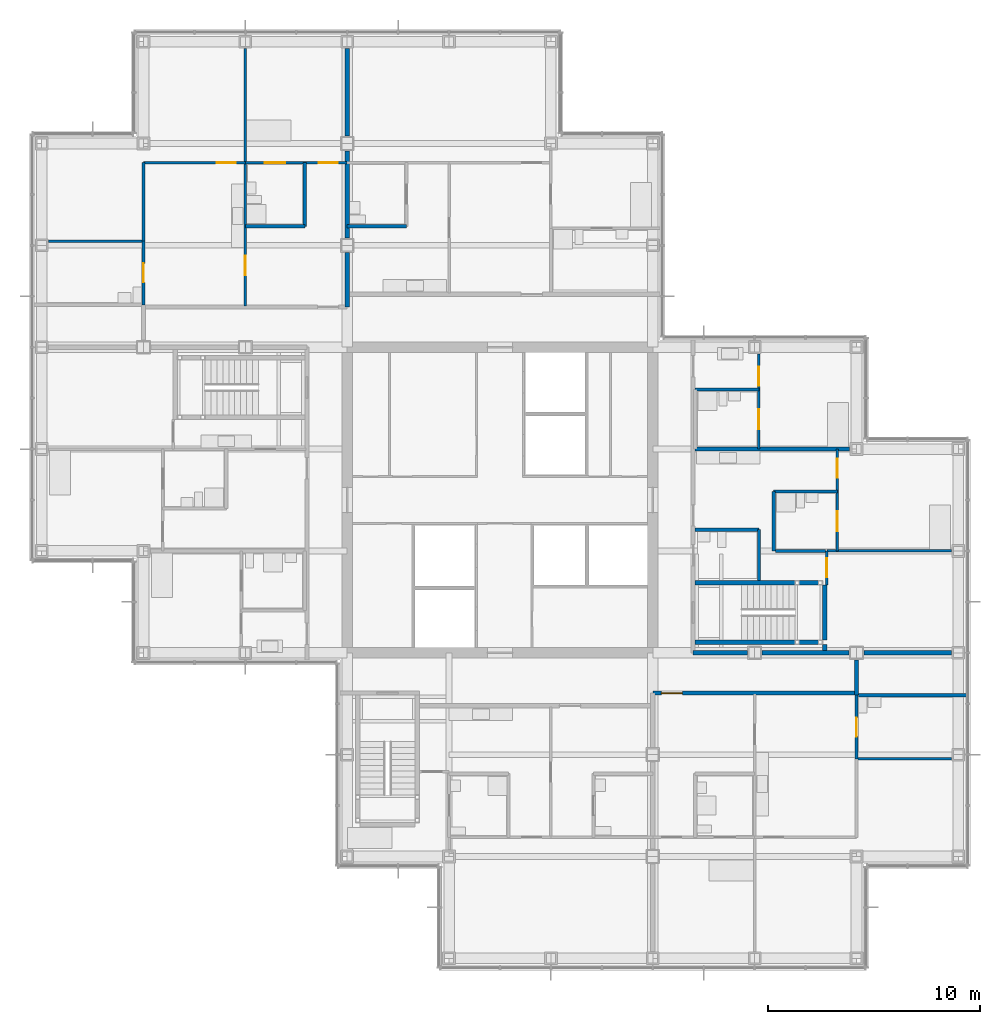
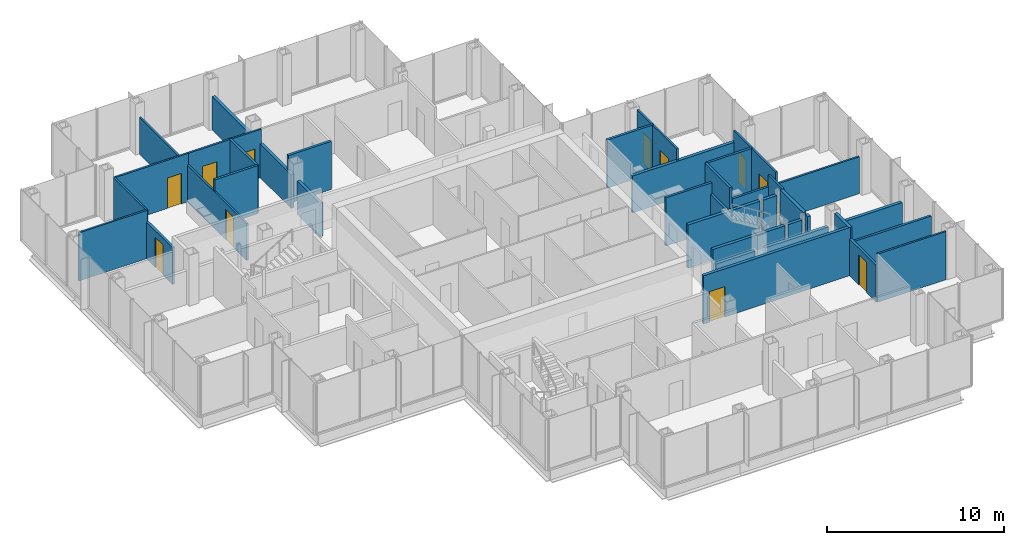
# One storey, part 15 of 19: 38 walls, 12 doors, 12 openings.
"""IFC4 building model written with IfcOpenShell, lengths in metres."""

from ifc_helpers import new_model, si_unit, direction, frame, frame_2d, origin, place, context, subcontext, project, spatial, rectangle, extrude, material, layer, layer_set, type_object, element, fill, save


model = new_model("IFC4")

# Units and contexts
model_context = context("Model", 3, precision=1e-05, world=origin(), true_north=direction((0.0, 1.0)))
body_context = subcontext(model_context, "Body", "Model", "MODEL_VIEW")
ifc_project = project(units=[si_unit("LENGTHUNIT", "METRE"), si_unit("AREAUNIT", "SQUARE_METRE"), si_unit("VOLUMEUNIT", "CUBIC_METRE"), si_unit("PLANEANGLEUNIT", "RADIAN"), si_unit("MASSUNIT", "GRAM", prefix="KILO")], contexts=[model_context])

# Site, building, storey
site_placement = place(None, origin())
site = spatial("IfcSite", under=ifc_project, at=site_placement, CompositionType="ELEMENT")
building_placement = place(site_placement, origin())
building = spatial("IfcBuilding", under=site, at=building_placement, Name="Kvirike Care Tower", CompositionType="ELEMENT")
storey_placement = place(building_placement, frame((0.0, 0.0, 129.5)))
storey = spatial("IfcBuildingStorey", under=building, at=storey_placement, Name="L35", CompositionType="ELEMENT", Elevation=129.5)

# Walls
ifc_material_1 = material(Name="Moisture-resistant board partition", Category="gypsum")
ifc_layer_1 = layer(ifc_material_1, 0.14990234375)
ifc_layer_set_1 = layer_set([ifc_layer_1], Name="BATHROOM WALL 150")
wall_type_1 = type_object("IfcWallType", Name="BATHROOM WALL 150", PredefinedType="PARTITIONING", material=ifc_layer_set_1)
wall_1_placement = place(storey_placement, frame((12.39990234375, 51.89990234375, 0.0), z_axis=(0.0, 0.0, 1.0), x_axis=(0.0, -1.0, 0.0)))
element("IfcWall", 1, at=wall_1_placement, inside=storey, type_object=wall_type_1, Name="Bathroom Wall 150 L35", PredefinedType="PARTITIONING", context=body_context, shape_type="SweptSolid", body=[
    extrude(rectangle(XDim=3.0, YDim=0.14990234375, at=frame_2d((1.5, 0.0))), origin(), (0.0, 0.0, 1.0), 3.330078125),
])
wall_2_placement = place(storey_placement, frame((12.39990234375, 48.89990234375, 0.0), z_axis=(0.0, 0.0, 1.0), x_axis=(-1.0, 0.0, 0.0)))
element("IfcWall", 2, at=wall_2_placement, inside=storey, type_object=wall_type_1, Name="Bathroom Wall 150 L35", PredefinedType="PARTITIONING", context=body_context, shape_type="SweptSolid", body=[
    extrude(rectangle(XDim=2.7998046875, YDim=0.14990234375, at=frame_2d((1.39990234375, 0.0))), origin(), (0.0, 0.0, 1.0), 3.330078125),
])

# Wall, opening, door
wall_3_placement = place(storey_placement, frame((4.800048828125, 48.199951171875, 0.0), z_axis=(0.0, 0.0, 1.0), x_axis=(0.0, -1.0, 0.0)))
wall_3 = element("IfcWall", 3, at=wall_3_placement, inside=storey, type_object=wall_type_1, Name="Bathroom Wall 150 L35", PredefinedType="PARTITIONING", context=body_context, shape_type="SweptSolid", body=[
    extrude(rectangle(XDim=3.0, YDim=0.14990234375, at=frame_2d((1.5, 0.0))), origin(), (0.0, 0.0, 1.0), 2.550048828125),
])
opening_1_placement = place(wall_3_placement, frame((1.050048828125, 0.0, 0.0)))
opening_1 = element("IfcOpeningElement", 4, at=opening_1_placement, cuts=wall_3, Name="Opening 35-010", PredefinedType="OPENING", context=body_context, shape_type="SweptSolid", body=[
    extrude(rectangle(XDim=0.89990234375, YDim=2.10009765625, at=frame_2d((0.449951171875, 1.050048828125))), frame((0.0, 0.08544921875, 0.0), z_axis=(0.0, -1.0, 0.0), x_axis=(1.0, 0.0, 0.0)), (0.0, 0.0, 1.0), 0.1708984375),
])
ifc_material_2 = material(Name="Timber door set", Category="wood")
door_type_1 = type_object("IfcDoorType", Name="BATHROOM DOOR 900", OperationType="SINGLE_SWING_RIGHT", PredefinedType="DOOR", material=ifc_material_2)
door_1_placement = place(opening_1_placement, frame((0.89990234375, 0.0, 0.0), z_axis=(0.0, 0.0, 1.0), x_axis=(-1.0, 0.0, 0.0)))
door_1 = element("IfcDoor", 5, at=door_1_placement, inside=storey, type_object=door_type_1, Name="Accessible WC door", OperationType="SINGLE_SWING_LEFT", OverallHeight=2.10009765625, OverallWidth=0.89990234375, PredefinedType="DOOR", context=body_context, shape_type="SweptSolid", body=[
    extrude(rectangle(XDim=0.89990234375, YDim=2.10009765625, at=frame_2d((0.449951171875, 1.050048828125))), frame((0.0, 0.02197265625, 0.0), z_axis=(0.0, -1.0, 0.0), x_axis=(1.0, 0.0, 0.0)), (0.0, 0.0, 1.0), 0.0439453125),
])
fill(opening_1, door_1)

# Wall
wall_4_placement = place(storey_placement, frame((17.199951171875, 48.89990234375, 0.0), z_axis=(0.0, 0.0, 1.0), x_axis=(-1.0, 0.0, 0.0)))
element("IfcWall", 6, at=wall_4_placement, inside=storey, type_object=wall_type_1, Name="Bathroom Wall 150 L35", PredefinedType="PARTITIONING", context=body_context, shape_type="SweptSolid", body=[
    extrude(rectangle(XDim=2.800048828125, YDim=0.14990234375, at=frame_2d((1.39990234375, 0.0))), origin(), (0.0, 0.0, 1.0), 3.330078125),
])

# Wall, opening, door
wall_5_placement = place(storey_placement, frame((38.39990234375, 23.800048828125, 0.0), z_axis=(0.0, 0.0, 1.0), x_axis=(0.0, 1.0, 0.0)))
wall_5 = element("IfcWall", 7, at=wall_5_placement, inside=storey, type_object=wall_type_1, Name="Bathroom Wall 150 L35", PredefinedType="PARTITIONING", context=body_context, shape_type="SweptSolid", body=[
    extrude(rectangle(XDim=3.0, YDim=0.14990234375, at=frame_2d((1.5, 0.0))), origin(), (0.0, 0.0, 1.0), 2.550048828125),
])
opening_2_placement = place(wall_5_placement, frame((1.050048828125, 0.0, 0.0)))
opening_2 = element("IfcOpeningElement", 8, at=opening_2_placement, cuts=wall_5, Name="Opening 35-029", PredefinedType="OPENING", context=body_context, shape_type="SweptSolid", body=[
    extrude(rectangle(XDim=0.89990234375, YDim=2.10009765625, at=frame_2d((0.449951171875, 1.050048828125))), frame((0.0, 0.08544921875, 0.0), z_axis=(0.0, -1.0, 0.0), x_axis=(1.0, 0.0, 0.0)), (0.0, 0.0, 1.0), 0.1708984375),
])
door_2_placement = place(opening_2_placement, frame((0.89990234375, 0.0, 0.0), z_axis=(0.0, 0.0, 1.0), x_axis=(-1.0, 0.0, 0.0)))
door_2 = element("IfcDoor", 9, at=door_2_placement, inside=storey, type_object=door_type_1, Name="Accessible WC door", OperationType="SINGLE_SWING_LEFT", OverallHeight=2.10009765625, OverallWidth=0.89990234375, PredefinedType="DOOR", context=body_context, shape_type="SweptSolid", body=[
    extrude(rectangle(XDim=0.89990234375, YDim=2.10009765625, at=frame_2d((0.449951171875, 1.050048828125))), frame((0.0, 0.02197265625, 0.0), z_axis=(0.0, -1.0, 0.0), x_axis=(1.0, 0.0, 0.0)), (0.0, 0.0, 1.0), 0.0439453125),
])
fill(opening_2, door_2)

# Walls
wall_6_placement = place(storey_placement, frame((33.800048828125, 32.199951171875, 0.0), z_axis=(0.0, 0.0, 1.0), x_axis=(0.0, 1.0, 0.0)))
element("IfcWall", 10, at=wall_6_placement, inside=storey, type_object=wall_type_1, Name="Bathroom Wall 150 L35", PredefinedType="PARTITIONING", context=body_context, shape_type="SweptSolid", body=[
    extrude(rectangle(XDim=2.400146484375, YDim=0.14990234375, at=frame_2d((1.2001953125, 0.0))), origin(), (0.0, 0.0, 1.0), 2.550048828125),
])
for number, where, z_axis, x_axis, name in (
    (11, (33.800048828125, 34.60009765625, 0.0), (0.0, 0.0, 1.0), (-1.0, 0.0, 0.0), "Bathroom Wall 150 L35"),
    (12, (37.5, 36.39990234375, 0.0), (0.0, 0.0, 1.0), (-1.0, 0.0, 0.0), "Bathroom Wall 150 L35"),
):
    element("IfcWall", number, at=place(storey_placement, frame(where, z_axis=z_axis, x_axis=x_axis)), inside=storey, type_object=wall_type_1, Name=name, PredefinedType="PARTITIONING", context=body_context, shape_type="SweptSolid", body=[
        extrude(rectangle(XDim=3.0, YDim=0.14990234375, at=frame_2d((1.5, 0.0))), origin(), (0.0, 0.0, 1.0), 3.330078125),
    ])
wall_7_placement = place(storey_placement, frame((34.5, 33.60009765625, 0.0), z_axis=(0.0, 0.0, 1.0), x_axis=(0.0, 1.0, 0.0)))
element("IfcWall", 13, at=wall_7_placement, inside=storey, type_object=wall_type_1, Name="Bathroom Wall 150 L35", PredefinedType="PARTITIONING", context=body_context, shape_type="SweptSolid", body=[
    extrude(rectangle(XDim=2.7998046875, YDim=0.14990234375, at=frame_2d((1.39990234375, 0.0))), origin(), (0.0, 0.0, 1.0), 3.330078125),
])
wall_8_placement = place(storey_placement, frame((33.800048828125, 41.199951171875, 0.0), z_axis=(0.0, 0.0, 1.0), x_axis=(-1.0, 0.0, 0.0)))
element("IfcWall", 14, at=wall_8_placement, inside=storey, type_object=wall_type_1, Name="Bathroom Wall 150 L35", PredefinedType="PARTITIONING", context=body_context, shape_type="SweptSolid", body=[
    extrude(rectangle(XDim=3.0, YDim=0.14990234375, at=frame_2d((1.5, 0.0))), origin(), (0.0, 0.0, 1.0), 3.330078125),
])
wall_9_placement = place(storey_placement, frame((38.5, 26.800048828125, 0.0), z_axis=(0.0, 0.0, 1.0), x_axis=(1.0, 0.0, 0.0)))
element("IfcWall", 15, at=wall_9_placement, inside=storey, type_object=wall_type_1, Name="Bathroom Wall 150 L35", PredefinedType="PARTITIONING", context=body_context, shape_type="SweptSolid", body=[
    extrude(rectangle(XDim=5.139892578125, YDim=0.14990234375, at=frame_2d((2.56982421875, 0.0))), origin(), (0.0, 0.0, 1.0), 2.320068359375),
])
wall_10_placement = place(storey_placement, frame((36.93994140625, 33.60009765625, 0.0), z_axis=(0.0, 0.0, 1.0), x_axis=(-1.0, 0.0, 0.0)))
element("IfcWall", 16, at=wall_10_placement, inside=storey, type_object=wall_type_1, Name="Bathroom Wall 150 L35", PredefinedType="PARTITIONING", context=body_context, shape_type="SweptSolid", body=[
    extrude(rectangle(XDim=2.364990234375, YDim=0.14990234375, at=frame_2d((1.1826171875, 0.0))), origin(), (0.0, 0.0, 1.0), 2.550048828125),
])

# Wall, opening, door
ifc_material_3 = material(Name="Plasterboard corridor wall", Category="gypsum")
ifc_layer_2 = layer(ifc_material_3, 0.199951171875)
ifc_layer_set_2 = layer_set([ifc_layer_2], Name="CORRIDOR WALL 200")
wall_type_2 = type_object("IfcWallType", Name="CORRIDOR WALL 200", PredefinedType="PARTITIONING", material=ifc_layer_set_2)
wall_11_placement = place(storey_placement, frame((28.800048828125, 26.89990234375, 0.0), z_axis=(0.0, 0.0, 1.0), x_axis=(1.0, 0.0, 0.0)))
wall_11 = element("IfcWall", 17, at=wall_11_placement, inside=storey, type_object=wall_type_2, Name="Corridor Wall 200 L35", PredefinedType="PARTITIONING", context=body_context, shape_type="SweptSolid", body=[
    extrude(rectangle(XDim=9.599853515625, YDim=0.199951171875, at=frame_2d((4.7998046875, 0.0))), origin(), (0.0, 0.0, 1.0), 3.330078125),
])
opening_3_placement = place(wall_11_placement, frame((0.39990234375, 0.0, 0.0)))
opening_3 = element("IfcOpeningElement", 18, at=opening_3_placement, cuts=wall_11, Name="Opening 35-034", PredefinedType="OPENING", context=body_context, shape_type="SweptSolid", body=[
    extrude(rectangle(XDim=1.0, YDim=2.10009765625, at=frame_2d((0.5, 1.050048828125))), frame((0.0, 0.110595703125, 0.0), z_axis=(0.0, -1.0, 0.0), x_axis=(1.0, 0.0, 0.0)), (0.0, 0.0, 1.0), 0.220947265625),
])
ifc_material_4 = material(Name="Timber door set", Category="wood")
door_type_2 = type_object("IfcDoorType", Name="FLAT ENTRANCE DOOR 1000", OperationType="SINGLE_SWING_LEFT", PredefinedType="DOOR", material=ifc_material_4)
door_3_placement = place(opening_3_placement, frame((1.0, 0.0, 0.0), z_axis=(0.0, 0.0, 1.0), x_axis=(-1.0, 0.0, 0.0)))
door_3 = element("IfcDoor", 19, at=door_3_placement, inside=storey, type_object=door_type_2, Name="Assisted living suite for couples entrance", OperationType="SINGLE_SWING_LEFT", OverallHeight=2.10009765625, OverallWidth=1.0, PredefinedType="DOOR", context=body_context, shape_type="SweptSolid", body=[
    extrude(rectangle(XDim=1.0, YDim=2.10009765625, at=frame_2d((0.5, 1.050048828125))), frame((0.0, 0.02685546875, 0.0), z_axis=(0.0, -1.0, 0.0), x_axis=(1.0, 0.0, 0.0)), (0.0, 0.0, 1.0), 0.053955078125),
])
fill(opening_3, door_3)

# Wall
wall_12_placement = place(storey_placement, frame((38.39990234375, 26.800048828125, 0.0), z_axis=(0.0, 0.0, 1.0), x_axis=(0.0, 1.0, 0.0)))
element("IfcWall", 20, at=wall_12_placement, inside=storey, type_object=wall_type_2, Name="Corridor Wall 200 L35", PredefinedType="PARTITIONING", context=body_context, shape_type="SweptSolid", body=[
    extrude(rectangle(XDim=1.655029296875, YDim=0.199951171875, at=frame_2d((0.82763671875, 0.0))), origin(), (0.0, 0.0, 1.0), 3.330078125),
])

# Wall, opening, door
ifc_material_5 = material(Name="Plasterboard partition", Category="gypsum")
ifc_layer_3 = layer(ifc_material_5, 0.1201171875)
ifc_layer_set_3 = layer_set([ifc_layer_3], Name="PARTITION 120")
wall_type_3 = type_object("IfcWallType", Name="PARTITION 120", PredefinedType="PARTITIONING", material=ifc_layer_set_3)
wall_13_placement = place(storey_placement, frame((9.60009765625, 51.89990234375, 0.0), z_axis=(0.0, 0.0, 1.0), x_axis=(0.0, -1.0, 0.0)))
wall_13 = element("IfcWall", 21, at=wall_13_placement, inside=storey, type_object=wall_type_3, Name="Partition 120 L35", PredefinedType="PARTITIONING", context=body_context, shape_type="SweptSolid", body=[
    extrude(rectangle(XDim=6.75, YDim=0.1201171875, at=frame_2d((3.375, 0.0))), origin(), (0.0, 0.0, 1.0), 2.550048828125),
])
opening_4_placement = place(wall_13_placement, frame((4.39990234375, 0.0, 0.0)))
opening_4 = element("IfcOpeningElement", 22, at=opening_4_placement, cuts=wall_13, Name="Opening 35-011", PredefinedType="OPENING", context=body_context, shape_type="SweptSolid", body=[
    extrude(rectangle(XDim=0.89990234375, YDim=2.10009765625, at=frame_2d((0.449951171875, 1.050048828125))), frame((0.0, 0.070556640625, 0.0), z_axis=(0.0, -1.0, 0.0), x_axis=(1.0, 0.0, 0.0)), (0.0, 0.0, 1.0), 0.14111328125),
])
ifc_material_6 = material(Name="Timber door set", Category="wood")
door_type_3 = type_object("IfcDoorType", Name="INTERNAL DOOR 900", OperationType="SINGLE_SWING_LEFT", PredefinedType="DOOR", material=ifc_material_6)
door_4_placement = place(opening_4_placement, origin())
door_4 = element("IfcDoor", 23, at=door_4_placement, inside=storey, type_object=door_type_3, Name="Hall door", OperationType="SINGLE_SWING_RIGHT", OverallHeight=2.10009765625, OverallWidth=0.89990234375, PredefinedType="DOOR", context=body_context, shape_type="SweptSolid", body=[
    extrude(rectangle(XDim=0.89990234375, YDim=2.10009765625, at=frame_2d((0.449951171875, 1.050048828125))), frame((0.0, 0.02197265625, 0.0), z_axis=(0.0, -1.0, 0.0), x_axis=(1.0, 0.0, 0.0)), (0.0, 0.0, 1.0), 0.0439453125),
])
fill(opening_4, door_4)

# Wall, openings, doors
wall_14_placement = place(storey_placement, frame((14.39990234375, 51.89990234375, 0.0), z_axis=(0.0, 0.0, 1.0), x_axis=(-1.0, 0.0, 0.0)))
wall_14 = element("IfcWall", 24, at=wall_14_placement, inside=storey, type_object=wall_type_3, Name="Partition 120 L35", PredefinedType="PARTITIONING", context=body_context, shape_type="SweptSolid", body=[
    extrude(rectangle(XDim=4.7998046875, YDim=0.1201171875, at=frame_2d((2.39990234375, 0.0))), origin(), (0.0, 0.0, 1.0), 3.330078125),
])
opening_5_placement = place(wall_14_placement, frame((0.449951171875, 0.0, 0.0)))
opening_5 = element("IfcOpeningElement", 25, at=opening_5_placement, cuts=wall_14, Name="Opening 35-012", PredefinedType="OPENING", context=body_context, shape_type="SweptSolid", body=[
    extrude(rectangle(XDim=0.89990234375, YDim=2.10009765625, at=frame_2d((0.449951171875, 1.050048828125))), frame((0.0, 0.070556640625, 0.0), z_axis=(0.0, -1.0, 0.0), x_axis=(1.0, 0.0, 0.0)), (0.0, 0.0, 1.0), 0.14111328125),
])
opening_6_placement = place(wall_14_placement, frame((2.925048828125, 0.0, 0.0)))
opening_6 = element("IfcOpeningElement", 26, at=opening_6_placement, cuts=wall_14, Name="Opening 35-013", PredefinedType="OPENING", context=body_context, shape_type="SweptSolid", body=[
    extrude(rectangle(XDim=0.949951171875, YDim=2.10009765625, at=frame_2d((0.47509765625, 1.050048828125))), frame((0.0, 0.070556640625, 0.0), z_axis=(0.0, -1.0, 0.0), x_axis=(1.0, 0.0, 0.0)), (0.0, 0.0, 1.0), 0.14111328125),
])
ifc_material_7 = material(Name="Timber door set", Category="wood")
door_type_4 = type_object("IfcDoorType", Name="EN-SUITE SLIDING DOOR 950", OperationType="SLIDING_TO_LEFT", PredefinedType="DOOR", material=ifc_material_7)
door_5_placement = place(opening_6_placement, origin())
door_5 = element("IfcDoor", 27, at=door_5_placement, inside=storey, type_object=door_type_4, Name="En-suite door", OperationType="SLIDING_TO_LEFT", OverallHeight=2.10009765625, OverallWidth=0.949951171875, PredefinedType="DOOR", context=body_context, shape_type="SweptSolid", body=[
    extrude(rectangle(XDim=0.949951171875, YDim=2.10009765625, at=frame_2d((0.47509765625, 1.050048828125))), frame((0.0, 0.02197265625, 0.0), z_axis=(0.0, -1.0, 0.0), x_axis=(1.0, 0.0, 0.0)), (0.0, 0.0, 1.0), 0.0439453125),
])
fill(opening_6, door_5)
door_6_placement = place(opening_5_placement, origin())
door_6 = element("IfcDoor", 28, at=door_6_placement, inside=storey, type_object=door_type_3, Name="Assisted living suite door", OperationType="SINGLE_SWING_RIGHT", OverallHeight=2.10009765625, OverallWidth=0.89990234375, PredefinedType="DOOR", context=body_context, shape_type="SweptSolid", body=[
    extrude(rectangle(XDim=0.89990234375, YDim=2.10009765625, at=frame_2d((0.449951171875, 1.050048828125))), frame((0.0, 0.02197265625, 0.0), z_axis=(0.0, -1.0, 0.0), x_axis=(1.0, 0.0, 0.0)), (0.0, 0.0, 1.0), 0.0439453125),
])
fill(opening_5, door_6)

# Wall, opening, door
wall_15_placement = place(storey_placement, frame((9.60009765625, 51.89990234375, 0.0), z_axis=(0.0, 0.0, 1.0), x_axis=(-1.0, 0.0, 0.0)))
wall_15 = element("IfcWall", 29, at=wall_15_placement, inside=storey, type_object=wall_type_3, Name="Partition 120 L35", PredefinedType="PARTITIONING", context=body_context, shape_type="SweptSolid", body=[
    extrude(rectangle(XDim=4.800048828125, YDim=0.1201171875, at=frame_2d((2.39990234375, 0.0))), origin(), (0.0, 0.0, 1.0), 3.330078125),
])
opening_7_placement = place(wall_15_placement, frame((0.449951171875, 0.0, 0.0)))
opening_7 = element("IfcOpeningElement", 30, at=opening_7_placement, cuts=wall_15, Name="Opening 35-014", PredefinedType="OPENING", context=body_context, shape_type="SweptSolid", body=[
    extrude(rectangle(XDim=0.89990234375, YDim=2.10009765625, at=frame_2d((0.449951171875, 1.050048828125))), frame((0.0, 0.070556640625, 0.0), z_axis=(0.0, -1.0, 0.0), x_axis=(1.0, 0.0, 0.0)), (0.0, 0.0, 1.0), 0.14111328125),
])
door_7_placement = place(opening_7_placement, origin())
door_7 = element("IfcDoor", 31, at=door_7_placement, inside=storey, type_object=door_type_3, Name="Suite sitting room door", OperationType="SINGLE_SWING_RIGHT", OverallHeight=2.10009765625, OverallWidth=0.89990234375, PredefinedType="DOOR", context=body_context, shape_type="SweptSolid", body=[
    extrude(rectangle(XDim=0.89990234375, YDim=2.10009765625, at=frame_2d((0.449951171875, 1.050048828125))), frame((0.0, 0.02197265625, 0.0), z_axis=(0.0, -1.0, 0.0), x_axis=(1.0, 0.0, 0.0)), (0.0, 0.0, 1.0), 0.0439453125),
])
fill(opening_7, door_7)

# Walls
wall_16_placement = place(storey_placement, frame((4.800048828125, 48.199951171875, 0.0), z_axis=(0.0, 0.0, 1.0), x_axis=(-1.0, 0.0, 0.0)))
element("IfcWall", 32, at=wall_16_placement, inside=storey, type_object=wall_type_3, Name="Partition 120 L35", PredefinedType="PARTITIONING", context=body_context, shape_type="SweptSolid", body=[
    extrude(rectangle(XDim=4.47998046875, YDim=0.1201171875, at=frame_2d((2.239990234375, 0.0))), origin(), (0.0, 0.0, 1.0), 3.330078125),
])
wall_17_placement = place(storey_placement, frame((9.60009765625, 57.280029296875, 0.0), z_axis=(0.0, 0.0, 1.0), x_axis=(0.0, -1.0, 0.0)))
element("IfcWall", 33, at=wall_17_placement, inside=storey, type_object=wall_type_3, Name="Partition 120 L35", PredefinedType="PARTITIONING", context=body_context, shape_type="SweptSolid", body=[
    extrude(rectangle(XDim=5.380126953125, YDim=0.1201171875, at=frame_2d((2.68994140625, 0.0))), origin(), (0.0, 0.0, 1.0), 2.550048828125),
])
wall_18_placement = place(storey_placement, frame((4.800048828125, 51.89990234375, 0.0), z_axis=(0.0, 0.0, 1.0), x_axis=(0.0, -1.0, 0.0)))
element("IfcWall", 34, at=wall_18_placement, inside=storey, type_object=wall_type_3, Name="Partition 120 L35", PredefinedType="PARTITIONING", context=body_context, shape_type="SweptSolid", body=[
    extrude(rectangle(XDim=3.699951171875, YDim=0.1201171875, at=frame_2d((1.85009765625, 0.0))), origin(), (0.0, 0.0, 1.0), 3.330078125),
])
wall_19_placement = place(storey_placement, frame((38.39990234375, 23.800048828125, 0.0), z_axis=(0.0, 0.0, 1.0), x_axis=(1.0, 0.0, 0.0)))
element("IfcWall", 35, at=wall_19_placement, inside=storey, type_object=wall_type_3, Name="Partition 120 L35", PredefinedType="PARTITIONING", context=body_context, shape_type="SweptSolid", body=[
    extrude(rectangle(XDim=4.47998046875, YDim=0.1201171875, at=frame_2d((2.239990234375, 0.0))), origin(), (0.0, 0.0, 1.0), 3.330078125),
])

# Wall, opening, door
wall_20_placement = place(storey_placement, frame((37.0, 32.0, 0.0), z_axis=(0.0, 0.0, 1.0), x_axis=(0.0, 1.0, 0.0)))
wall_20 = element("IfcWall", 36, at=wall_20_placement, inside=storey, type_object=wall_type_3, Name="Partition 120 L35", PredefinedType="PARTITIONING", context=body_context, shape_type="SweptSolid", body=[
    extrude(rectangle(XDim=1.60009765625, YDim=0.1201171875, at=frame_2d((0.800048828125, 0.0))), origin(), (0.0, 0.0, 1.0), 3.330078125),
])
opening_8_placement = place(wall_20_placement, frame((0.35009765625, 0.0, 0.0)))
opening_8 = element("IfcOpeningElement", 37, at=opening_8_placement, cuts=wall_20, Name="Opening 35-035", PredefinedType="OPENING", context=body_context, shape_type="SweptSolid", body=[
    extrude(rectangle(XDim=0.89990234375, YDim=2.10009765625, at=frame_2d((0.449951171875, 1.050048828125))), frame((0.0, 0.070556640625, 0.0), z_axis=(0.0, -1.0, 0.0), x_axis=(1.0, 0.0, 0.0)), (0.0, 0.0, 1.0), 0.14111328125),
])
door_8_placement = place(opening_8_placement, origin())
door_8 = element("IfcDoor", 38, at=door_8_placement, inside=storey, type_object=door_type_3, Name="Suite sitting room door", OperationType="SINGLE_SWING_RIGHT", OverallHeight=2.10009765625, OverallWidth=0.89990234375, PredefinedType="DOOR", context=body_context, shape_type="SweptSolid", body=[
    extrude(rectangle(XDim=0.89990234375, YDim=2.10009765625, at=frame_2d((0.449951171875, 1.050048828125))), frame((0.0, 0.02197265625, 0.0), z_axis=(0.0, -1.0, 0.0), x_axis=(1.0, 0.0, 0.0)), (0.0, 0.0, 1.0), 0.0439453125),
])
fill(opening_8, door_8)

# Wall, openings, doors
wall_21_placement = place(storey_placement, frame((37.5, 33.60009765625, 0.0), z_axis=(0.0, 0.0, 1.0), x_axis=(0.0, 1.0, 0.0)))
wall_21 = element("IfcWall", 39, at=wall_21_placement, inside=storey, type_object=wall_type_3, Name="Partition 120 L35", PredefinedType="PARTITIONING", context=body_context, shape_type="SweptSolid", body=[
    extrude(rectangle(XDim=4.7998046875, YDim=0.1201171875, at=frame_2d((2.39990234375, 0.0))), origin(), (0.0, 0.0, 1.0), 3.330078125),
])
opening_9_placement = place(wall_21_placement, frame((3.449951171875, 0.0, 0.0)))
opening_9 = element("IfcOpeningElement", 40, at=opening_9_placement, cuts=wall_21, Name="Opening 35-036", PredefinedType="OPENING", context=body_context, shape_type="SweptSolid", body=[
    extrude(rectangle(XDim=0.89990234375, YDim=2.10009765625, at=frame_2d((0.449951171875, 1.050048828125))), frame((0.0, 0.070556640625, 0.0), z_axis=(0.0, -1.0, 0.0), x_axis=(1.0, 0.0, 0.0)), (0.0, 0.0, 1.0), 0.14111328125),
])
opening_10_placement = place(wall_21_placement, frame((0.925048828125, 0.0, 0.0)))
opening_10 = element("IfcOpeningElement", 41, at=opening_10_placement, cuts=wall_21, Name="Opening 35-037", PredefinedType="OPENING", context=body_context, shape_type="SweptSolid", body=[
    extrude(rectangle(XDim=0.949951171875, YDim=2.10009765625, at=frame_2d((0.47509765625, 1.050048828125))), frame((0.0, 0.070556640625, 0.0), z_axis=(0.0, -1.0, 0.0), x_axis=(1.0, 0.0, 0.0)), (0.0, 0.0, 1.0), 0.14111328125),
])
door_9_placement = place(opening_10_placement, origin())
door_9 = element("IfcDoor", 42, at=door_9_placement, inside=storey, type_object=door_type_4, Name="En-suite door", OperationType="SLIDING_TO_LEFT", OverallHeight=2.10009765625, OverallWidth=0.949951171875, PredefinedType="DOOR", context=body_context, shape_type="SweptSolid", body=[
    extrude(rectangle(XDim=0.949951171875, YDim=2.10009765625, at=frame_2d((0.47509765625, 1.050048828125))), frame((0.0, 0.02197265625, 0.0), z_axis=(0.0, -1.0, 0.0), x_axis=(1.0, 0.0, 0.0)), (0.0, 0.0, 1.0), 0.0439453125),
])
fill(opening_10, door_9)
door_10_placement = place(opening_9_placement, origin())
door_10 = element("IfcDoor", 43, at=door_10_placement, inside=storey, type_object=door_type_3, Name="Assisted living suite door", OperationType="SINGLE_SWING_LEFT", OverallHeight=2.10009765625, OverallWidth=0.89990234375, PredefinedType="DOOR", context=body_context, shape_type="SweptSolid", body=[
    extrude(rectangle(XDim=0.89990234375, YDim=2.10009765625, at=frame_2d((0.449951171875, 1.050048828125))), frame((0.0, 0.02197265625, 0.0), z_axis=(0.0, -1.0, 0.0), x_axis=(1.0, 0.0, 0.0)), (0.0, 0.0, 1.0), 0.0439453125),
])
fill(opening_9, door_10)

# Wall
wall_22_placement = place(storey_placement, frame((42.8798828125, 33.60009765625, 0.0), z_axis=(0.0, 0.0, 1.0), x_axis=(-1.0, 0.0, 0.0)))
element("IfcWall", 44, at=wall_22_placement, inside=storey, type_object=wall_type_3, Name="Partition 120 L35", PredefinedType="PARTITIONING", context=body_context, shape_type="SweptSolid", body=[
    extrude(rectangle(XDim=5.8798828125, YDim=0.1201171875, at=frame_2d((2.93994140625, 0.0))), origin(), (0.0, 0.0, 1.0), 2.550048828125),
])

# Wall, openings, doors
wall_23_placement = place(storey_placement, frame((33.800048828125, 38.39990234375, 0.0), z_axis=(0.0, 0.0, 1.0), x_axis=(0.0, 1.0, 0.0)))
wall_23 = element("IfcWall", 45, at=wall_23_placement, inside=storey, type_object=wall_type_3, Name="Partition 120 L35", PredefinedType="PARTITIONING", context=body_context, shape_type="SweptSolid", body=[
    extrude(rectangle(XDim=4.47998046875, YDim=0.1201171875, at=frame_2d((2.239990234375, 0.0))), origin(), (0.0, 0.0, 1.0), 3.330078125),
])
opening_11_placement = place(wall_23_placement, frame((2.97509765625, 0.0, 0.0)))
opening_11 = element("IfcOpeningElement", 46, at=opening_11_placement, cuts=wall_23, Name="Opening 35-038", PredefinedType="OPENING", context=body_context, shape_type="SweptSolid", body=[
    extrude(rectangle(XDim=0.89990234375, YDim=2.10009765625, at=frame_2d((0.449951171875, 1.050048828125))), frame((0.0, 0.070556640625, 0.0), z_axis=(0.0, -1.0, 0.0), x_axis=(1.0, 0.0, 0.0)), (0.0, 0.0, 1.0), 0.14111328125),
])
opening_12_placement = place(wall_23_placement, frame((0.925048828125, 0.0, 0.0)))
opening_12 = element("IfcOpeningElement", 47, at=opening_12_placement, cuts=wall_23, Name="Opening 35-039", PredefinedType="OPENING", context=body_context, shape_type="SweptSolid", body=[
    extrude(rectangle(XDim=0.949951171875, YDim=2.10009765625, at=frame_2d((0.47509765625, 1.050048828125))), frame((0.0, 0.070556640625, 0.0), z_axis=(0.0, -1.0, 0.0), x_axis=(1.0, 0.0, 0.0)), (0.0, 0.0, 1.0), 0.14111328125),
])
door_11_placement = place(opening_12_placement, origin())
door_11 = element("IfcDoor", 48, at=door_11_placement, inside=storey, type_object=door_type_4, Name="En-suite door", OperationType="SLIDING_TO_RIGHT", OverallHeight=2.10009765625, OverallWidth=0.949951171875, PredefinedType="DOOR", context=body_context, shape_type="SweptSolid", body=[
    extrude(rectangle(XDim=0.949951171875, YDim=2.10009765625, at=frame_2d((0.47509765625, 1.050048828125))), frame((0.0, 0.02197265625, 0.0), z_axis=(0.0, -1.0, 0.0), x_axis=(1.0, 0.0, 0.0)), (0.0, 0.0, 1.0), 0.0439453125),
])
fill(opening_12, door_11)
door_12_placement = place(opening_11_placement, origin())
door_12 = element("IfcDoor", 49, at=door_12_placement, inside=storey, type_object=door_type_3, Name="Assisted living suite door", OperationType="SINGLE_SWING_RIGHT", OverallHeight=2.10009765625, OverallWidth=0.89990234375, PredefinedType="DOOR", context=body_context, shape_type="SweptSolid", body=[
    extrude(rectangle(XDim=0.89990234375, YDim=2.10009765625, at=frame_2d((0.449951171875, 1.050048828125))), frame((0.0, 0.02197265625, 0.0), z_axis=(0.0, -1.0, 0.0), x_axis=(1.0, 0.0, 0.0)), (0.0, 0.0, 1.0), 0.0439453125),
])
fill(opening_11, door_12)

# Walls
ifc_material_8 = material(Name="Plasterboard party wall", Category="gypsum")
ifc_layer_4 = layer(ifc_material_8, 0.199951171875)
ifc_layer_set_4 = layer_set([ifc_layer_4], Name="PARTY WALL 200")
wall_type_4 = type_object("IfcWallType", Name="PARTY WALL 200", PredefinedType="PARTITIONING", material=ifc_layer_set_4)
wall_24_placement = place(storey_placement, frame((38.080078125, 38.39990234375, 0.0), z_axis=(0.0, 0.0, 1.0), x_axis=(-1.0, 0.0, 0.0)))
element("IfcWall", 50, at=wall_24_placement, inside=storey, type_object=wall_type_4, Name="Party Wall 200 L35", PredefinedType="PARTITIONING", context=body_context, shape_type="SweptSolid", body=[
    extrude(rectangle(XDim=7.280029296875, YDim=0.199951171875, at=frame_2d((3.64013671875, 0.0))), origin(), (0.0, 0.0, 1.0), 2.550048828125),
])
wall_25_placement = place(storey_placement, frame((14.39990234375, 45.10009765625, 0.0), z_axis=(0.0, 0.0, 1.0), x_axis=(0.0, 1.0, 0.0)))
element("IfcWall", 51, at=wall_25_placement, inside=storey, type_object=wall_type_4, Name="Party Wall 200 L35", PredefinedType="PARTITIONING", context=body_context, shape_type="SweptSolid", body=[
    extrude(rectangle(XDim=2.554931640625, YDim=0.199951171875, at=frame_2d((1.27734375, 0.0))), origin(), (0.0, 0.0, 1.0), 2.320068359375),
])
wall_26_placement = place(storey_placement, frame((14.39990234375, 48.344970703125, 0.0), z_axis=(0.0, 0.0, 1.0), x_axis=(0.0, 1.0, 0.0)))
element("IfcWall", 52, at=wall_26_placement, inside=storey, type_object=wall_type_4, Name="Party Wall 200 L35", PredefinedType="PARTITIONING", context=body_context, shape_type="SweptSolid", body=[
    extrude(rectangle(XDim=4.110107421875, YDim=0.199951171875, at=frame_2d((2.05517578125, 0.0))), origin(), (0.0, 0.0, 1.0), 2.320068359375),
])
wall_27_placement = place(storey_placement, frame((14.39990234375, 53.14501953125, 0.0), z_axis=(0.0, 0.0, 1.0), x_axis=(0.0, 1.0, 0.0)))
element("IfcWall", 53, at=wall_27_placement, inside=storey, type_object=wall_type_4, Name="Party Wall 200 L35", PredefinedType="PARTITIONING", context=body_context, shape_type="SweptSolid", body=[
    extrude(rectangle(XDim=4.135009765625, YDim=0.199951171875, at=frame_2d((2.0673828125, 0.0))), origin(), (0.0, 0.0, 1.0), 2.320068359375),
])
wall_28_placement = place(storey_placement, frame((42.8798828125, 28.800048828125, 0.0), z_axis=(0.0, 0.0, 1.0), x_axis=(-1.0, 0.0, 0.0)))
element("IfcWall", 54, at=wall_28_placement, inside=storey, type_object=wall_type_4, Name="Party Wall 200 L35", PredefinedType="PARTITIONING", context=body_context, shape_type="SweptSolid", body=[
    extrude(rectangle(XDim=4.134765625, YDim=0.199951171875, at=frame_2d((2.0673828125, 0.0))), origin(), (0.0, 0.0, 1.0), 2.320068359375),
])
wall_29_placement = place(storey_placement, frame((38.054931640625, 28.800048828125, 0.0), z_axis=(0.0, 0.0, 1.0), x_axis=(-1.0, 0.0, 0.0)))
element("IfcWall", 55, at=wall_29_placement, inside=storey, type_object=wall_type_4, Name="Party Wall 200 L35", PredefinedType="PARTITIONING", context=body_context, shape_type="SweptSolid", body=[
    extrude(rectangle(XDim=4.10986328125, YDim=0.199951171875, at=frame_2d((2.054931640625, 0.0))), origin(), (0.0, 0.0, 1.0), 2.320068359375),
])
wall_30_placement = place(storey_placement, frame((33.2548828125, 28.800048828125, 0.0), z_axis=(0.0, 0.0, 1.0), x_axis=(-1.0, 0.0, 0.0)))
element("IfcWall", 56, at=wall_30_placement, inside=storey, type_object=wall_type_4, Name="Party Wall 200 L35", PredefinedType="PARTITIONING", context=body_context, shape_type="SweptSolid", body=[
    extrude(rectangle(XDim=2.554931640625, YDim=0.199951171875, at=frame_2d((1.27734375, 0.0))), origin(), (0.0, 0.0, 1.0), 2.320068359375),
])
ifc_material_9 = material(Name="Concrete C40/50", Category="concrete")
ifc_layer_5 = layer(ifc_material_9, 0.199951171875)
ifc_layer_set_5 = layer_set([ifc_layer_5], Name="STAIR WALL 200")
wall_type_5 = type_object("IfcWallType", Name="STAIR WALL 200", PredefinedType="SOLIDWALL", material=ifc_layer_set_5)
wall_31_placement = place(storey_placement, frame((36.60009765625, 29.300048828125, 0.0), z_axis=(0.0, 0.0, 1.0), x_axis=(-1.0, 0.0, 0.0)))
element("IfcWall", 57, at=wall_31_placement, inside=storey, type_object=wall_type_5, Name="Stair Wall 200 L35", PredefinedType="SOLIDWALL", context=body_context, shape_type="SweptSolid", body=[
    extrude(rectangle(XDim=0.900146484375, YDim=0.199951171875, at=frame_2d((0.4501953125, 0.0))), origin(), (0.0, 0.0, 1.0), 2.989990234375),
])
wall_32_placement = place(storey_placement, frame((35.5, 29.300048828125, 0.0), z_axis=(0.0, 0.0, 1.0), x_axis=(-1.0, 0.0, 0.0)))
element("IfcWall", 58, at=wall_32_placement, inside=storey, type_object=wall_type_5, Name="Stair Wall 200 L35", PredefinedType="SOLIDWALL", context=body_context, shape_type="SweptSolid", body=[
    extrude(rectangle(XDim=4.699951171875, YDim=0.199951171875, at=frame_2d((2.35009765625, 0.0))), origin(), (0.0, 0.0, 1.0), 2.989990234375),
])
wall_33_placement = place(storey_placement, frame((36.60009765625, 32.10009765625, 0.0), z_axis=(0.0, 0.0, 1.0), x_axis=(-1.0, 0.0, 0.0)))
element("IfcWall", 59, at=wall_33_placement, inside=storey, type_object=wall_type_5, Name="Stair Wall 200 L35", PredefinedType="SOLIDWALL", context=body_context, shape_type="SweptSolid", body=[
    extrude(rectangle(XDim=0.900146484375, YDim=0.199951171875, at=frame_2d((0.4501953125, 0.0))), origin(), (0.0, 0.0, 1.0), 2.989990234375),
])
wall_34_placement = place(storey_placement, frame((35.5, 32.10009765625, 0.0), z_axis=(0.0, 0.0, 1.0), x_axis=(-1.0, 0.0, 0.0)))
element("IfcWall", 60, at=wall_34_placement, inside=storey, type_object=wall_type_5, Name="Stair Wall 200 L35", PredefinedType="SOLIDWALL", context=body_context, shape_type="SweptSolid", body=[
    extrude(rectangle(XDim=4.699951171875, YDim=0.199951171875, at=frame_2d((2.35009765625, 0.0))), origin(), (0.0, 0.0, 1.0), 2.989990234375),
])
wall_35_placement = place(storey_placement, frame((36.89990234375, 28.89990234375, 0.0), z_axis=(0.0, 0.0, 1.0), x_axis=(0.0, 1.0, 0.0)))
element("IfcWall", 61, at=wall_35_placement, inside=storey, type_object=wall_type_5, Name="Stair Wall 200 L35", PredefinedType="SOLIDWALL", context=body_context, shape_type="SweptSolid", body=[
    extrude(rectangle(XDim=0.300048828125, YDim=0.199951171875, at=frame_2d((0.14990234375, 0.0))), origin(), (0.0, 0.0, 1.0), 3.330078125),
])
wall_36_placement = place(storey_placement, frame((36.89990234375, 29.39990234375, 0.0), z_axis=(0.0, 0.0, 1.0), x_axis=(0.0, 1.0, 0.0)))
element("IfcWall", 62, at=wall_36_placement, inside=storey, type_object=wall_type_5, Name="Stair Wall 200 L35", PredefinedType="SOLIDWALL", context=body_context, shape_type="SweptSolid", body=[
    extrude(rectangle(XDim=2.60009765625, YDim=0.199951171875, at=frame_2d((1.300048828125, 0.0))), origin(), (0.0, 0.0, 1.0), 3.330078125),
])

save(model, "model.ifc")
